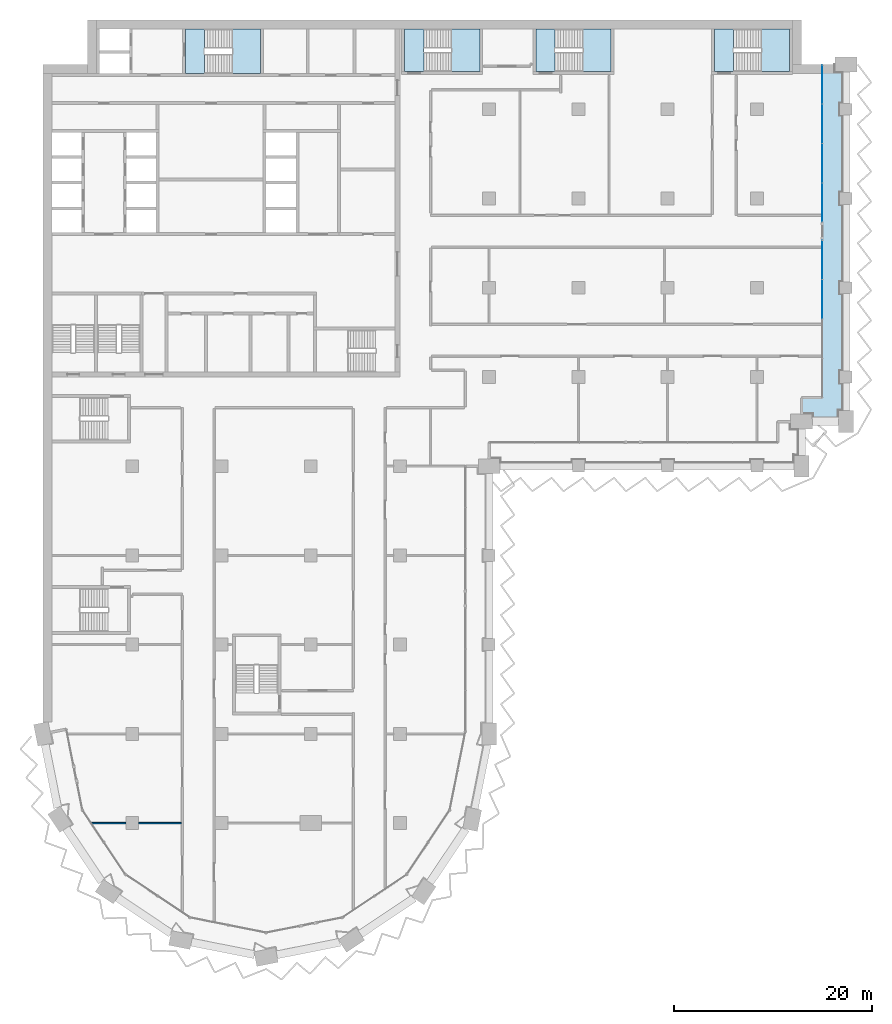
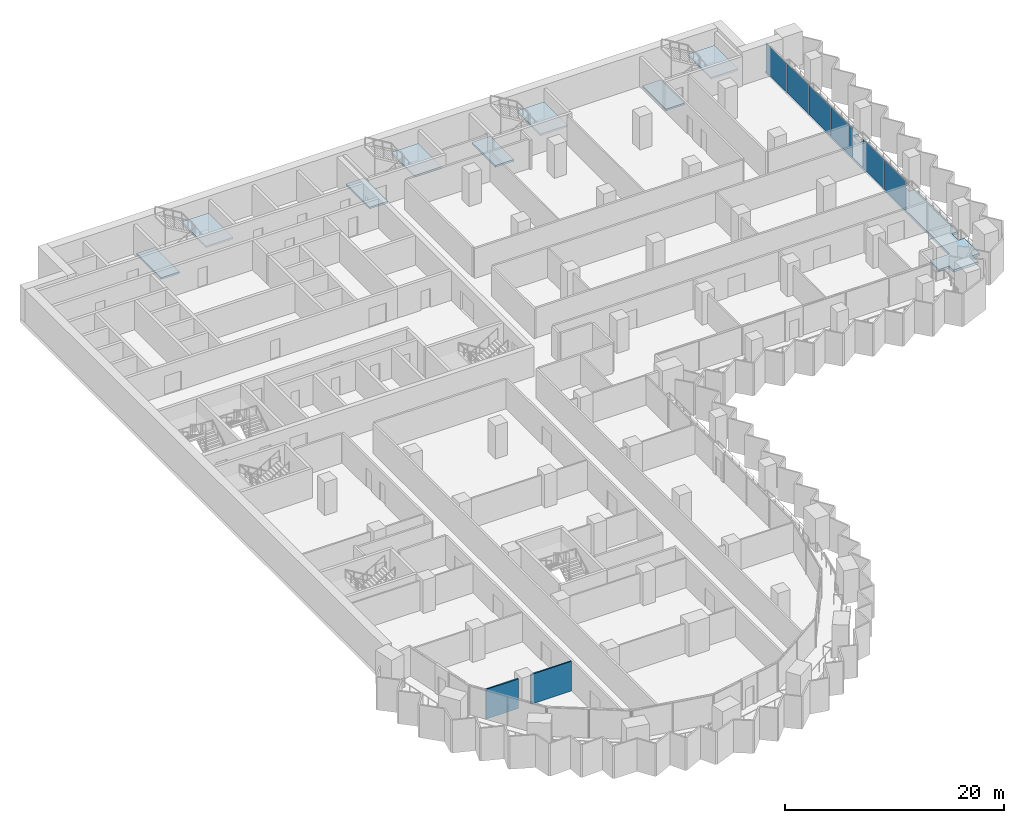
# One storey, part 8 of 23: 9 slabs, 6 plates, 2 walls, 6 elements without a shape of their own.
"""IFC4 building model written with IfcOpenShell, lengths in metres."""

from ifc_helpers import new_model, si_unit, direction, frame, frame_2d, origin, origin_2d, place, context, subcontext, project, spatial, polyline, rectangle, outline, extrude, material, layer, layer_set, type_object, element, aggregate, save


model = new_model("IFC4")

# Units and contexts
model_context = context("Model", 3, precision=1e-05, world=origin(), true_north=direction((0.0, 1.0)))
body_context = subcontext(model_context, "Body", "Model", "MODEL_VIEW")
ifc_project = project(units=[si_unit("LENGTHUNIT", "METRE"), si_unit("AREAUNIT", "SQUARE_METRE"), si_unit("VOLUMEUNIT", "CUBIC_METRE"), si_unit("PLANEANGLEUNIT", "RADIAN"), si_unit("MASSUNIT", "GRAM", prefix="KILO")], contexts=[model_context])

# Site, building, storey
site_placement = place(None, origin())
site = spatial("IfcSite", under=ifc_project, at=site_placement, CompositionType="ELEMENT")
building_placement = place(site_placement, origin())
building = spatial("IfcBuilding", under=site, at=building_placement, Name="Hunhe Ridgeline Campus", CompositionType="ELEMENT")
storey_placement = place(building_placement, frame((0.0, 0.0, 110.699951171875)))
storey = spatial("IfcBuildingStorey", under=building, at=storey_placement, Name="L27", CompositionType="ELEMENT", Elevation=110.699951171875)

# Curtain wall, plates
ifc_material_1 = material(Name="Aluminium 6063", Category="aluminium")
curtain_wall_type = type_object("IfcCurtainWallType", Name="Curtain wall CW-1", PredefinedType="NOTDEFINED", material=ifc_material_1)
curtain_wall_1_placement = place(storey_placement, origin())
curtain_wall_1 = element("IfcCurtainWall", 1, at=curtain_wall_1_placement, inside=storey, type_object=curtain_wall_type, Name="Curtain wall 15", PredefinedType="NOTDEFINED")
ifc_material_2 = material(Name="Low-e laminated glass", Category="glass")
ifc_layer_1 = layer(ifc_material_2, 0.028076171875)
ifc_layer_set_1 = layer_set([ifc_layer_1], Name="Curtain wall glass panel 28 low-e laminated")
plate_type = type_object("IfcPlateType", Name="Curtain wall glass panel 28 low-e laminated", PredefinedType="CURTAIN_PANEL", material=ifc_layer_set_1)
plate_1_placement = place(storey_placement, frame((78.59912109375, 70.838134765625, 0.0), z_axis=(0.0, 0.0, 1.0), x_axis=(0.0, 1.0, 0.0)))
plate_1 = element("IfcPlate", 2, at=plate_1_placement, type_object=plate_type, Name="CW-1 panel 3", PredefinedType="CURTAIN_PANEL", context=body_context, shape_type="SweptSolid", body=[
    extrude(rectangle(XDim=3.914794921875, YDim=0.028076171875, at=origin_2d()), origin(), (0.0, 0.0, 1.0), 3.239990234375),
])
plate_2_placement = place(storey_placement, frame((78.59912109375, 74.798095703125, 0.0), z_axis=(0.0, 0.0, 1.0), x_axis=(0.0, 1.0, 0.0)))
plate_2 = element("IfcPlate", 3, at=plate_2_placement, type_object=plate_type, Name="CW-1 panel 4", PredefinedType="CURTAIN_PANEL", context=body_context, shape_type="SweptSolid", body=[
    extrude(rectangle(XDim=3.884765625, YDim=0.028076171875, at=origin_2d()), origin(), (0.0, 0.0, 1.0), 3.239990234375),
])
aggregate(curtain_wall_1, [plate_1, plate_2])

curtain_wall_2_placement = place(storey_placement, origin())
curtain_wall_2 = element("IfcCurtainWall", 4, at=curtain_wall_2_placement, inside=storey, type_object=curtain_wall_type, Name="Curtain wall 16", PredefinedType="NOTDEFINED")
plate_3_placement = place(storey_placement, frame((78.59912109375, 80.60302734375, 0.0), z_axis=(0.0, 0.0, 1.0), x_axis=(0.0, 1.0, 0.0)))
plate_3 = element("IfcPlate", 5, at=plate_3_placement, type_object=plate_type, Name="CW-1 panel 1", PredefinedType="CURTAIN_PANEL", context=body_context, shape_type="SweptSolid", body=[
    extrude(rectangle(XDim=3.884765625, YDim=0.028076171875, at=origin_2d()), origin(), (0.0, 0.0, 1.0), 3.239990234375),
])
plate_4_placement = place(storey_placement, frame((78.59912109375, 84.562744140625, 0.0), z_axis=(0.0, 0.0, 1.0), x_axis=(0.0, 1.0, 0.0)))
plate_4 = element("IfcPlate", 6, at=plate_4_placement, type_object=plate_type, Name="CW-1 panel 2", PredefinedType="CURTAIN_PANEL", context=body_context, shape_type="SweptSolid", body=[
    extrude(rectangle(XDim=3.914794921875, YDim=0.028076171875, at=origin_2d()), origin(), (0.0, 0.0, 1.0), 3.239990234375),
])
plate_5_placement = place(storey_placement, frame((78.59912109375, 88.53759765625, 0.0), z_axis=(0.0, 0.0, 1.0), x_axis=(0.0, 1.0, 0.0)))
plate_5 = element("IfcPlate", 7, at=plate_5_placement, type_object=plate_type, Name="CW-1 panel 3", PredefinedType="CURTAIN_PANEL", context=body_context, shape_type="SweptSolid", body=[
    extrude(rectangle(XDim=3.914794921875, YDim=0.028076171875, at=origin_2d()), origin(), (0.0, 0.0, 1.0), 3.239990234375),
])
plate_6_placement = place(storey_placement, frame((78.59912109375, 92.49755859375, 0.0), z_axis=(0.0, 0.0, 1.0), x_axis=(0.0, 1.0, 0.0)))
plate_6 = element("IfcPlate", 8, at=plate_6_placement, type_object=plate_type, Name="CW-1 panel 4", PredefinedType="CURTAIN_PANEL", context=body_context, shape_type="SweptSolid", body=[
    extrude(rectangle(XDim=3.884765625, YDim=0.028076171875, at=origin_2d()), origin(), (0.0, 0.0, 1.0), 3.239990234375),
])
aggregate(curtain_wall_2, [plate_3, plate_4, plate_5, plate_6])

# Slab
ifc_material_3 = material(Name="Concrete C40", Category="concrete")
ifc_layer_2 = layer(ifc_material_3, 0.25)
ifc_layer_set_2 = layer_set([ifc_layer_2], Name="Loggia slab 250 Concrete C40")
slab_type_1 = type_object("IfcSlabType", Name="Loggia slab 250 Concrete C40", PredefinedType="FLOOR", material=ifc_layer_set_2)
slab_1_placement = place(storey_placement, frame((0.0, 0.0, -0.25)))
element("IfcSlab", 9, at=slab_1_placement, inside=storey, type_object=slab_type_1, Name="Loggia slab 3", PredefinedType="FLOOR", context=body_context, shape_type="SweptSolid", body=[
    extrude(outline(polyline([(76.5, 59.25), (77.60009765625, 59.25), (77.60009765625, 58.5), (80.25, 58.5), (80.25, 59.60009765625), (81.0, 59.60009765625), (81.0, 62.39990234375), (80.39990234375, 62.39990234375), (80.39990234375, 63.60009765625), (81.0, 63.60009765625), (81.0, 71.39990234375), (80.39990234375, 71.39990234375), (80.39990234375, 72.60009765625), (81.0, 72.60009765625), (81.0, 80.39990234375), (80.39990234375, 80.39990234375), (80.39990234375, 81.60009765625), (81.0, 81.60009765625), (81.0, 89.39990234375), (80.39990234375, 89.39990234375), (80.39990234375, 90.60009765625), (81.0, 90.60009765625), (81.0, 93.75), (79.89990234375, 93.75), (79.89990234375, 94.5), (78.60009765625, 94.5), (78.60009765625, 60.89990234375), (76.5, 60.89990234375), (76.5, 59.25)])), origin(), (0.0, 0.0, 1.0), 0.25),
])

# Stair, slab
stair_type = type_object("IfcStairType", Name="Reinforced concrete dog-leg stair 1950 Concrete C40", PredefinedType="HALF_TURN_STAIR", material=ifc_material_3)
stair_1_placement = place(storey_placement, origin())
stair_1 = element("IfcStair", 10, at=stair_1_placement, inside=storey, type_object=stair_type, Name="L27 S1", PredefinedType="HALF_TURN_STAIR")
ifc_layer_3 = layer(ifc_material_3, 0.199951171875)
ifc_layer_set_3 = layer_set([ifc_layer_3], Name="Reinforced concrete stair landing 200 Concrete C40")
slab_type_2 = type_object("IfcSlabType", Name="Reinforced concrete stair landing 200 Concrete C40", PredefinedType="LANDING", material=ifc_layer_set_3)
slab_2_placement = place(storey_placement, frame((0.0, 0.0, 1.650146484375)))
slab_2 = element("IfcSlab", 11, at=slab_2_placement, type_object=slab_type_2, Name="ST1 landing 1", PredefinedType="LANDING", context=body_context, shape_type="SweptSolid", body=[
    extrude(outline(polyline([(19.10009765625, 93.60009765625), (21.949951171875, 93.60009765625), (21.949951171875, 98.10009765625), (19.10009765625, 98.10009765625), (19.10009765625, 93.60009765625)])), origin(), (0.0, 0.0, 1.0), 0.199951171875),
])
aggregate(stair_1, [slab_2])

# Slab
slab_3_placement = place(storey_placement, frame((0.0, 0.0, -0.199951171875)))
element("IfcSlab", 12, at=slab_3_placement, inside=storey, type_object=slab_type_2, Name="L27 stair S1 floor landing", PredefinedType="LANDING", context=body_context, shape_type="SweptSolid", body=[
    extrude(outline(polyline([(14.35009765625, 93.60009765625), (16.300048828125, 93.60009765625), (16.300048828125, 98.10009765625), (14.35009765625, 98.10009765625), (14.35009765625, 93.60009765625)])), origin(), (0.0, 0.0, 1.0), 0.199951171875),
])

# Stair, slab
stair_2_placement = place(storey_placement, origin())
stair_2 = element("IfcStair", 13, at=stair_2_placement, inside=storey, type_object=stair_type, Name="L27 E1", PredefinedType="HALF_TURN_STAIR")
slab_4_placement = place(storey_placement, frame((0.0, 0.0, 1.650146484375)))
slab_4 = element("IfcSlab", 14, at=slab_4_placement, type_object=slab_type_2, Name="ST5 landing 1", PredefinedType="LANDING", context=body_context, shape_type="SweptSolid", body=[
    extrude(outline(polyline([(41.199951171875, 93.800048828125), (44.050048828125, 93.800048828125), (44.050048828125, 98.10009765625), (41.199951171875, 98.10009765625), (41.199951171875, 93.800048828125)])), origin(), (0.0, 0.0, 1.0), 0.199951171875),
])
aggregate(stair_2, [slab_4])

# Slab
slab_5_placement = place(storey_placement, frame((0.0, 0.0, -0.199951171875)))
element("IfcSlab", 15, at=slab_5_placement, inside=storey, type_object=slab_type_2, Name="L27 stair E1 floor landing", PredefinedType="LANDING", context=body_context, shape_type="SweptSolid", body=[
    extrude(outline(polyline([(36.449951171875, 93.800048828125), (38.39990234375, 93.800048828125), (38.39990234375, 98.10009765625), (36.449951171875, 98.10009765625), (36.449951171875, 93.800048828125)])), origin(), (0.0, 0.0, 1.0), 0.199951171875),
])

# Stair, slab
stair_3_placement = place(storey_placement, origin())
stair_3 = element("IfcStair", 16, at=stair_3_placement, inside=storey, type_object=stair_type, Name="L27 E2", PredefinedType="HALF_TURN_STAIR")
slab_6_placement = place(storey_placement, frame((0.0, 0.0, 1.650146484375)))
slab_6 = element("IfcSlab", 17, at=slab_6_placement, type_object=slab_type_2, Name="ST6 landing 1", PredefinedType="LANDING", context=body_context, shape_type="SweptSolid", body=[
    extrude(outline(polyline([(54.449951171875, 93.800048828125), (57.300048828125, 93.800048828125), (57.300048828125, 98.10009765625), (54.449951171875, 98.10009765625), (54.449951171875, 93.800048828125)])), origin(), (0.0, 0.0, 1.0), 0.199951171875),
])
aggregate(stair_3, [slab_6])

# Slab
slab_7_placement = place(storey_placement, frame((0.0, 0.0, -0.199951171875)))
element("IfcSlab", 18, at=slab_7_placement, inside=storey, type_object=slab_type_2, Name="L27 stair E2 floor landing", PredefinedType="LANDING", context=body_context, shape_type="SweptSolid", body=[
    extrude(outline(polyline([(49.699951171875, 93.800048828125), (51.64990234375, 93.800048828125), (51.64990234375, 98.10009765625), (49.699951171875, 98.10009765625), (49.699951171875, 93.800048828125)])), origin(), (0.0, 0.0, 1.0), 0.199951171875),
])

# Stair, slab
stair_4_placement = place(storey_placement, origin())
stair_4 = element("IfcStair", 19, at=stair_4_placement, inside=storey, type_object=stair_type, Name="L27 E3", PredefinedType="HALF_TURN_STAIR")
slab_8_placement = place(storey_placement, frame((0.0, 0.0, 1.650146484375)))
slab_8 = element("IfcSlab", 20, at=slab_8_placement, type_object=slab_type_2, Name="ST7 landing 1", PredefinedType="LANDING", context=body_context, shape_type="SweptSolid", body=[
    extrude(outline(polyline([(72.449951171875, 93.800048828125), (75.300048828125, 93.800048828125), (75.300048828125, 98.10009765625), (72.449951171875, 98.10009765625), (72.449951171875, 93.800048828125)])), origin(), (0.0, 0.0, 1.0), 0.199951171875),
])
aggregate(stair_4, [slab_8])

# Slab
slab_9_placement = place(storey_placement, frame((0.0, 0.0, -0.199951171875)))
element("IfcSlab", 21, at=slab_9_placement, inside=storey, type_object=slab_type_2, Name="L27 stair E3 floor landing", PredefinedType="LANDING", context=body_context, shape_type="SweptSolid", body=[
    extrude(outline(polyline([(67.699951171875, 93.800048828125), (69.64990234375, 93.800048828125), (69.64990234375, 98.10009765625), (67.699951171875, 98.10009765625), (67.699951171875, 93.800048828125)])), origin(), (0.0, 0.0, 1.0), 0.199951171875),
])

# Walls
ifc_material_4 = material(Name="Gypsum board partition")
ifc_layer_4 = layer(ifc_material_4, 0.14990234375)
ifc_layer_set_4 = layer_set([ifc_layer_4], Name="Room partition 150 gypsum board on steel studs")
wall_type = type_object("IfcWallType", Name="Room partition 150 gypsum board on steel studs", PredefinedType="PARTITIONING", material=ifc_layer_set_4)
wall_1_placement = place(storey_placement, frame((4.925537109375, 18.0, 0.0), z_axis=(0.0, 0.0, 1.0), x_axis=(1.0, 0.0, 0.0)))
element("IfcWall", 22, at=wall_1_placement, inside=storey, type_object=wall_type, Name="F-L27-wall-001", PredefinedType="PARTITIONING", context=body_context, shape_type="SweptSolid", body=[
    extrude(rectangle(XDim=3.424560546875, YDim=0.14990234375, at=frame_2d((1.71240234375, 0.0))), origin(), (0.0, 0.0, 1.0), 3.300048828125),
])
wall_2_placement = place(storey_placement, frame((9.64990234375, 18.0, 0.0), z_axis=(0.0, 0.0, 1.0), x_axis=(1.0, 0.0, 0.0)))
element("IfcWall", 23, at=wall_2_placement, inside=storey, type_object=wall_type, Name="F-L27-wall-002", PredefinedType="PARTITIONING", context=body_context, shape_type="SweptSolid", body=[
    extrude(rectangle(XDim=4.300048828125, YDim=0.14990234375, at=frame_2d((2.14990234375, 0.0))), origin(), (0.0, 0.0, 1.0), 3.300048828125),
])

save(model, "model.ifc")
